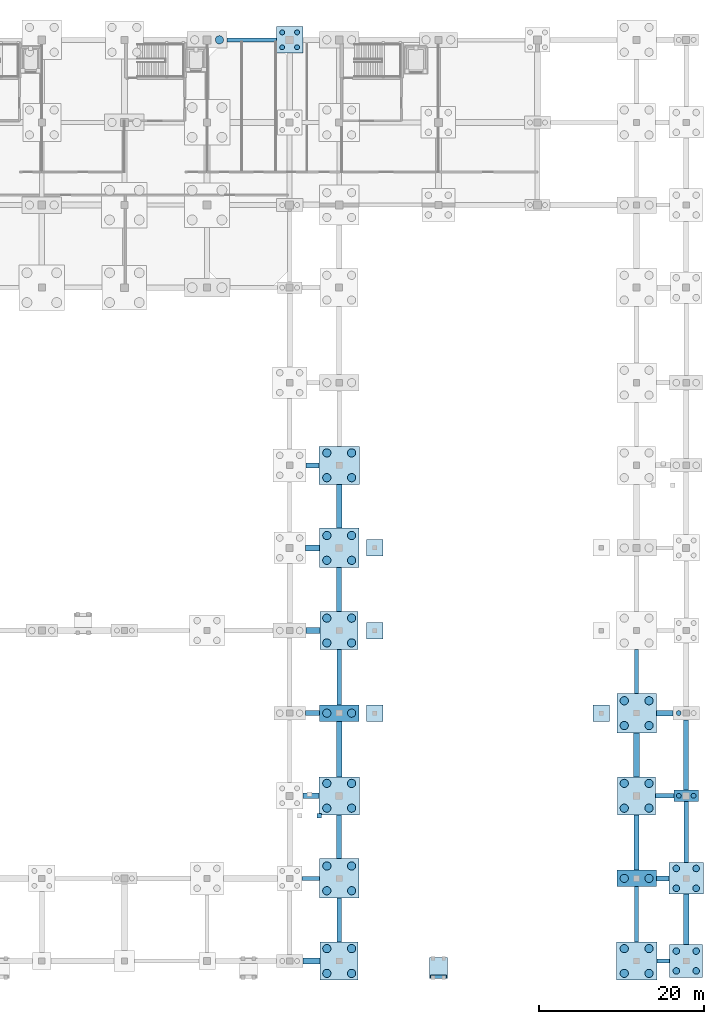
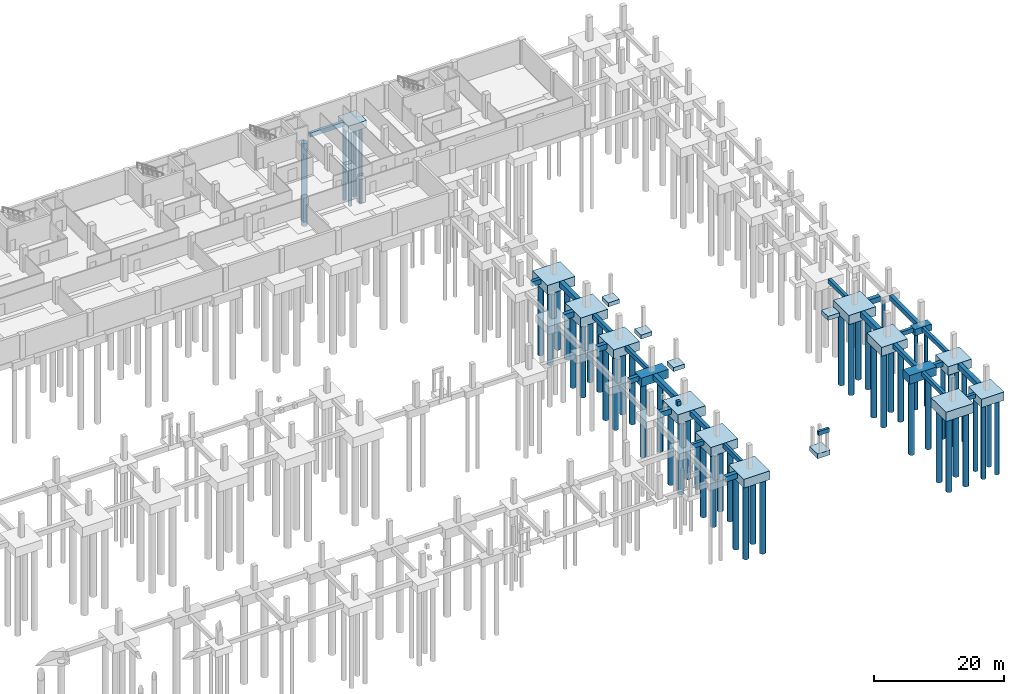
# One storey, part 6 of 19: 56 piles, 47 footings.
"""IFC4 building model written with IfcOpenShell, lengths in metres."""

from ifc_helpers import new_model, si_unit, direction, frame, origin, origin_2d, place, context, subcontext, project, spatial, polyline, rectangle, circle, outline, extrude, material, material_profile, profile_set, type_object, element, save


model = new_model("IFC4")

# Units and contexts
model_context = context("Model", 3, precision=1e-05, world=origin(), true_north=direction((0.0, 1.0)))
body_context = subcontext(model_context, "Body", "Model", "MODEL_VIEW")
ifc_project = project(units=[si_unit("LENGTHUNIT", "METRE"), si_unit("AREAUNIT", "SQUARE_METRE"), si_unit("VOLUMEUNIT", "CUBIC_METRE"), si_unit("PLANEANGLEUNIT", "RADIAN"), si_unit("MASSUNIT", "GRAM", prefix="KILO")], contexts=[model_context])

# Site, building, storey
site_placement = place(None, origin())
site = spatial("IfcSite", under=ifc_project, at=site_placement, CompositionType="ELEMENT")
building_placement = place(site_placement, origin())
building = spatial("IfcBuilding", under=site, at=building_placement, Name="Mersad Railyard Sports Hall", CompositionType="ELEMENT")
storey_placement = place(building_placement, frame((0.0, 0.0, -4.5)))
storey = spatial("IfcBuildingStorey", under=building, at=storey_placement, Name="B1", CompositionType="ELEMENT", Elevation=-4.5)

# Footings
ifc_material = material(Name="Concrete C40/50", Category="concrete")
footing_type_1 = type_object("IfcFootingType", Name="STR-FT-FB01", PredefinedType="FOOTING_BEAM", material=ifc_material)
footing_1_placement = place(storey_placement, frame((0.0, 0.0, -0.800048828125)))
element("IfcFooting", 1, at=footing_1_placement, inside=storey, type_object=footing_type_1, Name="Ground beam FB01-0013", PredefinedType="FOOTING_BEAM", context=body_context, shape_type="SweptSolid", body=[
    extrude(outline(polyline([(175.449951171875, 3.25), (177.0, 3.25), (177.0, 3.75), (175.449951171875, 3.75), (175.449951171875, 3.25)])), origin(), (0.0, 0.0, 1.0), 0.800048828125),
])
footing_2_placement = place(storey_placement, frame((0.0, 0.0, -0.800048828125)))
element("IfcFooting", 2, at=footing_2_placement, inside=storey, type_object=footing_type_1, Name="Ground beam FB01-0025", PredefinedType="FOOTING_BEAM", context=body_context, shape_type="SweptSolid", body=[
    extrude(outline(polyline([(132.5, 13.25), (134.60009765625, 13.25), (134.60009765625, 13.75), (132.5, 13.75), (132.5, 13.25)])), origin(), (0.0, 0.0, 1.0), 0.800048828125),
])
footing_3_placement = place(storey_placement, frame((0.0, 0.0, -0.800048828125)))
element("IfcFooting", 3, at=footing_3_placement, inside=storey, type_object=footing_type_1, Name="Ground beam FB01-0028", PredefinedType="FOOTING_BEAM", context=body_context, shape_type="SweptSolid", body=[
    extrude(outline(polyline([(175.300048828125, 23.25), (177.5, 23.25), (177.5, 23.75), (175.300048828125, 23.75), (175.300048828125, 23.25)])), origin(), (0.0, 0.0, 1.0), 0.800048828125),
])
footing_4_placement = place(storey_placement, frame((0.0, 0.0, -0.800048828125)))
element("IfcFooting", 4, at=footing_4_placement, inside=storey, type_object=footing_type_1, Name="Ground beam FB01-0100", PredefinedType="FOOTING_BEAM", context=body_context, shape_type="SweptSolid", body=[
    extrude(outline(polyline([(123.39990234375, 114.75), (129.39990234375, 114.75), (129.39990234375, 115.25), (123.39990234375, 115.25), (123.39990234375, 114.75)])), origin(), (0.0, 0.0, 1.0), 0.800048828125),
])
footing_5_placement = place(storey_placement, frame((0.0, 0.0, -0.800048828125)))
element("IfcFooting", 5, at=footing_5_placement, inside=storey, type_object=footing_type_1, Name="Ground beam FB01-0160", PredefinedType="FOOTING_BEAM", context=body_context, shape_type="SweptSolid", body=[
    extrude(outline(polyline([(136.75, 5.800048828125), (137.25, 5.800048828125), (137.25, 11.10009765625), (136.75, 11.10009765625), (136.75, 5.800048828125)])), origin(), (0.0, 0.0, 1.0), 0.800048828125),
])
footing_6_placement = place(storey_placement, frame((0.0, 0.0, -0.800048828125)))
element("IfcFooting", 6, at=footing_6_placement, inside=storey, type_object=footing_type_1, Name="Ground beam FB01-0163", PredefinedType="FOOTING_BEAM", context=body_context, shape_type="SweptSolid", body=[
    extrude(outline(polyline([(136.75, 34.5), (137.25, 34.5), (137.25, 41.199951171875), (136.75, 41.199951171875), (136.75, 34.5)])), origin(), (0.0, 0.0, 1.0), 0.800048828125),
])
footing_7_placement = place(storey_placement, frame((0.0, 0.0, -0.800048828125)))
element("IfcFooting", 7, at=footing_7_placement, inside=storey, type_object=footing_type_1, Name="Ground beam FB01-0175", PredefinedType="FOOTING_BEAM", context=body_context, shape_type="SweptSolid", body=[
    extrude(outline(polyline([(172.75, 5.800048828125), (173.25, 5.800048828125), (173.25, 12.5), (172.75, 12.5), (172.75, 5.800048828125)])), origin(), (0.0, 0.0, 1.0), 0.800048828125),
])
footing_8_placement = place(storey_placement, frame((0.0, 0.0, -0.800048828125)))
element("IfcFooting", 8, at=footing_8_placement, inside=storey, type_object=footing_type_1, Name="Ground beam FB01-0178", PredefinedType="FOOTING_BEAM", context=body_context, shape_type="SweptSolid", body=[
    extrude(outline(polyline([(172.75, 35.89990234375), (173.25, 35.89990234375), (173.25, 41.199951171875), (172.75, 41.199951171875), (172.75, 35.89990234375)])), origin(), (0.0, 0.0, 1.0), 0.800048828125),
])
footing_9_placement = place(storey_placement, frame((0.0, 0.0, -0.800048828125)))
element("IfcFooting", 9, at=footing_9_placement, inside=storey, type_object=footing_type_1, Name="Ground beam FB01-0187", PredefinedType="FOOTING_BEAM", context=body_context, shape_type="SweptSolid", body=[
    extrude(outline(polyline([(178.75, 15.39990234375), (179.25, 15.39990234375), (179.25, 22.800048828125), (178.75, 22.800048828125), (178.75, 15.39990234375)])), origin(), (0.0, 0.0, 1.0), 0.800048828125),
])
footing_type_2 = type_object("IfcFootingType", Name="STR-FT-FB02", PredefinedType="FOOTING_BEAM", material=ifc_material)
footing_10_placement = place(storey_placement, frame((0.0, 0.0, -0.89990234375)))
element("IfcFooting", 10, at=footing_10_placement, inside=storey, type_object=footing_type_2, Name="Ground beam FB02-0026", PredefinedType="FOOTING_BEAM", context=body_context, shape_type="SweptSolid", body=[
    extrude(outline(polyline([(175.39990234375, 13.199951171875), (176.89990234375, 13.199951171875), (176.89990234375, 13.800048828125), (175.39990234375, 13.800048828125), (175.39990234375, 13.199951171875)])), origin(), (0.0, 0.0, 1.0), 0.89990234375),
])
footing_11_placement = place(storey_placement, frame((0.0, 0.0, -0.89990234375)))
element("IfcFooting", 11, at=footing_11_placement, inside=storey, type_object=footing_type_2, Name="Ground beam FB02-0029", PredefinedType="FOOTING_BEAM", context=body_context, shape_type="SweptSolid", body=[
    extrude(outline(polyline([(132.89990234375, 33.199951171875), (134.60009765625, 33.199951171875), (134.60009765625, 33.800048828125), (132.89990234375, 33.800048828125), (132.89990234375, 33.199951171875)])), origin(), (0.0, 0.0, 1.0), 0.89990234375),
])
footing_12_placement = place(storey_placement, frame((0.0, 0.0, -0.89990234375)))
element("IfcFooting", 12, at=footing_12_placement, inside=storey, type_object=footing_type_2, Name="Ground beam FB02-0053", PredefinedType="FOOTING_BEAM", context=body_context, shape_type="SweptSolid", body=[
    extrude(outline(polyline([(133.0, 63.199951171875), (134.550048828125, 63.199951171875), (134.550048828125, 63.800048828125), (133.0, 63.800048828125), (133.0, 63.199951171875)])), origin(), (0.0, 0.0, 1.0), 0.89990234375),
])
footing_13_placement = place(storey_placement, frame((0.0, 0.0, -0.89990234375)))
element("IfcFooting", 13, at=footing_13_placement, inside=storey, type_object=footing_type_2, Name="Ground beam FB02-0161", PredefinedType="FOOTING_BEAM", context=body_context, shape_type="SweptSolid", body=[
    extrude(outline(polyline([(136.699951171875, 15.89990234375), (137.300048828125, 15.89990234375), (137.300048828125, 21.199951171875), (136.699951171875, 21.199951171875), (136.699951171875, 15.89990234375)])), origin(), (0.0, 0.0, 1.0), 0.89990234375),
])
footing_14_placement = place(storey_placement, frame((0.0, 0.0, -0.89990234375)))
element("IfcFooting", 14, at=footing_14_placement, inside=storey, type_object=footing_type_2, Name="Ground beam FB02-0164", PredefinedType="FOOTING_BEAM", context=body_context, shape_type="SweptSolid", body=[
    extrude(outline(polyline([(136.699951171875, 45.800048828125), (137.300048828125, 45.800048828125), (137.300048828125, 51.10009765625), (136.699951171875, 51.10009765625), (136.699951171875, 45.800048828125)])), origin(), (0.0, 0.0, 1.0), 0.89990234375),
])
footing_15_placement = place(storey_placement, frame((0.0, 0.0, -0.89990234375)))
element("IfcFooting", 15, at=footing_15_placement, inside=storey, type_object=footing_type_2, Name="Ground beam FB02-0176", PredefinedType="FOOTING_BEAM", context=body_context, shape_type="SweptSolid", body=[
    extrude(outline(polyline([(172.699951171875, 14.5), (173.300048828125, 14.5), (173.300048828125, 21.199951171875), (172.699951171875, 21.199951171875), (172.699951171875, 14.5)])), origin(), (0.0, 0.0, 1.0), 0.89990234375),
])
footing_16_placement = place(storey_placement, frame((0.0, 0.0, -0.89990234375)))
element("IfcFooting", 16, at=footing_16_placement, inside=storey, type_object=footing_type_2, Name="Ground beam FB02-0188", PredefinedType="FOOTING_BEAM", context=body_context, shape_type="SweptSolid", body=[
    extrude(outline(polyline([(178.699951171875, 24.199951171875), (179.300048828125, 24.199951171875), (179.300048828125, 32.699951171875), (178.699951171875, 32.699951171875), (178.699951171875, 24.199951171875)])), origin(), (0.0, 0.0, 1.0), 0.89990234375),
])
footing_type_3 = type_object("IfcFootingType", Name="STR-FT-FB03", PredefinedType="FOOTING_BEAM", material=ifc_material)
footing_17_placement = place(storey_placement, frame((0.0, 0.0, -1.0)))
element("IfcFooting", 17, at=footing_17_placement, inside=storey, type_object=footing_type_3, Name="Ground beam FB03-0012", PredefinedType="FOOTING_BEAM", context=body_context, shape_type="SweptSolid", body=[
    extrude(outline(polyline([(132.60009765625, 3.14990234375), (134.699951171875, 3.14990234375), (134.699951171875, 3.85009765625), (132.60009765625, 3.85009765625), (132.60009765625, 3.14990234375)])), origin(), (0.0, 0.0, 1.0), 1.0),
])
footing_18_placement = place(storey_placement, frame((0.0, 0.0, -1.0)))
element("IfcFooting", 18, at=footing_18_placement, inside=storey, type_object=footing_type_3, Name="Ground beam FB03-0027", PredefinedType="FOOTING_BEAM", context=body_context, shape_type="SweptSolid", body=[
    extrude(outline(polyline([(132.60009765625, 23.14990234375), (134.550048828125, 23.14990234375), (134.550048828125, 23.85009765625), (132.60009765625, 23.85009765625), (132.60009765625, 23.14990234375)])), origin(), (0.0, 0.0, 1.0), 1.0),
])
footing_19_placement = place(storey_placement, frame((0.0, 0.0, -1.0)))
element("IfcFooting", 19, at=footing_19_placement, inside=storey, type_object=footing_type_3, Name="Ground beam FB03-0030", PredefinedType="FOOTING_BEAM", context=body_context, shape_type="SweptSolid", body=[
    extrude(outline(polyline([(175.39990234375, 33.14990234375), (177.39990234375, 33.14990234375), (177.39990234375, 33.85009765625), (175.39990234375, 33.85009765625), (175.39990234375, 33.14990234375)])), origin(), (0.0, 0.0, 1.0), 1.0),
])
footing_20_placement = place(storey_placement, frame((0.0, 0.0, -1.0)))
element("IfcFooting", 20, at=footing_20_placement, inside=storey, type_object=footing_type_3, Name="Ground beam FB03-0042", PredefinedType="FOOTING_BEAM", context=body_context, shape_type="SweptSolid", body=[
    extrude(outline(polyline([(133.0, 43.14990234375), (134.699951171875, 43.14990234375), (134.699951171875, 43.85009765625), (133.0, 43.85009765625), (133.0, 43.14990234375)])), origin(), (0.0, 0.0, 1.0), 1.0),
])
footing_21_placement = place(storey_placement, frame((0.0, 0.0, -1.0)))
element("IfcFooting", 21, at=footing_21_placement, inside=storey, type_object=footing_type_3, Name="Ground beam FB03-0051", PredefinedType="FOOTING_BEAM", context=body_context, shape_type="SweptSolid", body=[
    extrude(outline(polyline([(132.89990234375, 53.14990234375), (134.60009765625, 53.14990234375), (134.60009765625, 53.85009765625), (132.89990234375, 53.85009765625), (132.89990234375, 53.14990234375)])), origin(), (0.0, 0.0, 1.0), 1.0),
])
footing_22_placement = place(storey_placement, frame((0.0, 0.0, -1.0)))
element("IfcFooting", 22, at=footing_22_placement, inside=storey, type_object=footing_type_3, Name="Ground beam FB03-0162", PredefinedType="FOOTING_BEAM", context=body_context, shape_type="SweptSolid", body=[
    extrude(outline(polyline([(136.64990234375, 25.800048828125), (137.35009765625, 25.800048828125), (137.35009765625, 32.5), (136.64990234375, 32.5), (136.64990234375, 25.800048828125)])), origin(), (0.0, 0.0, 1.0), 1.0),
])
footing_23_placement = place(storey_placement, frame((0.0, 0.0, -1.0)))
element("IfcFooting", 23, at=footing_23_placement, inside=storey, type_object=footing_type_3, Name="Ground beam FB03-0165", PredefinedType="FOOTING_BEAM", context=body_context, shape_type="SweptSolid", body=[
    extrude(outline(polyline([(136.64990234375, 55.89990234375), (137.35009765625, 55.89990234375), (137.35009765625, 61.199951171875), (136.64990234375, 61.199951171875), (136.64990234375, 55.89990234375)])), origin(), (0.0, 0.0, 1.0), 1.0),
])
footing_24_placement = place(storey_placement, frame((0.0, 0.0, -1.0)))
element("IfcFooting", 24, at=footing_24_placement, inside=storey, type_object=footing_type_3, Name="Ground beam FB03-0177", PredefinedType="FOOTING_BEAM", context=body_context, shape_type="SweptSolid", body=[
    extrude(outline(polyline([(172.64990234375, 25.800048828125), (173.35009765625, 25.800048828125), (173.35009765625, 31.10009765625), (172.64990234375, 31.10009765625), (172.64990234375, 25.800048828125)])), origin(), (0.0, 0.0, 1.0), 1.0),
])
footing_25_placement = place(storey_placement, frame((0.0, 0.0, -1.0)))
element("IfcFooting", 25, at=footing_25_placement, inside=storey, type_object=footing_type_3, Name="Ground beam FB03-0186", PredefinedType="FOOTING_BEAM", context=body_context, shape_type="SweptSolid", body=[
    extrude(outline(polyline([(178.64990234375, 5.5), (179.35009765625, 5.5), (179.35009765625, 11.60009765625), (178.64990234375, 11.60009765625), (178.64990234375, 5.5)])), origin(), (0.0, 0.0, 1.0), 1.0),
])
footing_type_4 = type_object("IfcFootingType", Name="STR-FT-PC01", PredefinedType="PILE_CAP", material=ifc_material)
footing_26_placement = place(storey_placement, frame((179.0, 23.5, -1.2001953125), z_axis=(0.0, 0.0, 1.0), x_axis=(1.0, 0.0, 0.0)))
element("IfcFooting", 26, at=footing_26_placement, inside=storey, type_object=footing_type_4, Name="Pile cap PC01 at (179.0,23.5)", PredefinedType="PILE_CAP", context=body_context, shape_type="SweptSolid", body=[
    extrude(rectangle(XDim=3.0, YDim=1.39990234375, at=origin_2d()), origin(), (0.0, 0.0, 1.0), 1.199951171875),
])
footing_type_5 = type_object("IfcFootingType", Name="STR-FT-PC04", PredefinedType="PILE_CAP", material=ifc_material)
footing_27_placement = place(storey_placement, frame((131.0, 115.0, -1.35009765625), z_axis=(0.0, 0.0, 1.0), x_axis=(1.0, 0.0, 0.0)))
element("IfcFooting", 27, at=footing_27_placement, inside=storey, type_object=footing_type_5, Name="Pile cap PC04 at (131.0,115.0)", PredefinedType="PILE_CAP", context=body_context, shape_type="SweptSolid", body=[
    extrude(rectangle(XDim=3.199951171875, YDim=3.199951171875, at=origin_2d()), origin(), (0.0, 0.0, 1.0), 1.35009765625),
])
footing_type_6 = type_object("IfcFootingType", Name="STR-FT-PC08", PredefinedType="PILE_CAP", material=ifc_material)
footing_28_placement = place(storey_placement, frame((179.0, 3.5, -1.5498046875), z_axis=(0.0, 0.0, 1.0), x_axis=(1.0, 0.0, 0.0)))
element("IfcFooting", 28, at=footing_28_placement, inside=storey, type_object=footing_type_6, Name="Pile cap PC08 at (179.0,3.5)", PredefinedType="PILE_CAP", context=body_context, shape_type="SweptSolid", body=[
    extrude(rectangle(XDim=4.0, YDim=4.0, at=origin_2d()), origin(), (0.0, 0.0, 1.0), 1.550048828125),
])
footing_type_7 = type_object("IfcFootingType", Name="STR-FT-PC09", PredefinedType="PILE_CAP", material=ifc_material)
footing_29_placement = place(storey_placement, frame((179.0, 13.5, -1.60009765625), z_axis=(0.0, 0.0, 1.0), x_axis=(1.0, 0.0, 0.0)))
element("IfcFooting", 29, at=footing_29_placement, inside=storey, type_object=footing_type_7, Name="Pile cap PC09 at (179.0,13.5)", PredefinedType="PILE_CAP", context=body_context, shape_type="SweptSolid", body=[
    extrude(rectangle(XDim=4.199951171875, YDim=3.800048828125, at=origin_2d()), origin(), (0.0, 0.0, 1.0), 1.60009765625),
])
footing_type_8 = type_object("IfcFootingType", Name="STR-FT-PC11", PredefinedType="PILE_CAP", material=ifc_material)
for number, where, z_axis, x_axis, name in (
    (30, (137.0, 33.5, -1.60009765625), (0.0, 0.0, 1.0), (1.0, 0.0, 0.0), "Pile cap PC11 at (137.0,33.5)"),
    (31, (173.0, 13.5, -1.60009765625), (0.0, 0.0, 1.0), (1.0, 0.0, 0.0), "Pile cap PC11 at (173.0,13.5)"),
):
    element("IfcFooting", number, at=place(storey_placement, frame(where, z_axis=z_axis, x_axis=x_axis)), inside=storey, type_object=footing_type_8, Name=name, PredefinedType="PILE_CAP", context=body_context, shape_type="SweptSolid", body=[
        extrude(rectangle(XDim=4.800048828125, YDim=2.0, at=origin_2d()), origin(), (0.0, 0.0, 1.0), 1.60009765625),
    ])
footing_type_9 = type_object("IfcFootingType", Name="STR-FT-PC12", PredefinedType="PILE_CAP", material=ifc_material)
for number, where, z_axis, x_axis, name in (
    (32, (137.0, 3.5, -1.64990234375), (0.0, 0.0, 1.0), (1.0, 0.0, 0.0), "Pile cap PC12 at (137.0,3.5)"),
    (33, (137.0, 43.5, -1.64990234375), (0.0, 0.0, 1.0), (1.0, 0.0, 0.0), "Pile cap PC12 at (137.0,43.5)"),
    (34, (173.0, 23.5, -1.64990234375), (0.0, 0.0, 1.0), (1.0, 0.0, 0.0), "Pile cap PC12 at (173.0,23.5)"),
):
    element("IfcFooting", number, at=place(storey_placement, frame(where, z_axis=z_axis, x_axis=x_axis)), inside=storey, type_object=footing_type_9, Name=name, PredefinedType="PILE_CAP", context=body_context, shape_type="SweptSolid", body=[
        extrude(rectangle(XDim=4.60009765625, YDim=4.60009765625, at=origin_2d()), origin(), (0.0, 0.0, 1.0), 1.64990234375),
    ])
footing_type_10 = type_object("IfcFootingType", Name="STR-FT-PC13", PredefinedType="PILE_CAP", material=ifc_material)
for number, where, z_axis, x_axis, name in (
    (35, (137.0, 13.5, -1.7001953125), (0.0, 0.0, 1.0), (1.0, 0.0, 0.0), "Pile cap PC13 at (137.0,13.5)"),
    (36, (137.0, 53.5, -1.7001953125), (0.0, 0.0, 1.0), (1.0, 0.0, 0.0), "Pile cap PC13 at (137.0,53.5)"),
    (37, (173.0, 33.5, -1.7001953125), (0.0, 0.0, 1.0), (1.0, 0.0, 0.0), "Pile cap PC13 at (173.0,33.5)"),
):
    element("IfcFooting", number, at=place(storey_placement, frame(where, z_axis=z_axis, x_axis=x_axis)), inside=storey, type_object=footing_type_10, Name=name, PredefinedType="PILE_CAP", context=body_context, shape_type="SweptSolid", body=[
        extrude(rectangle(XDim=4.800048828125, YDim=4.800048828125, at=origin_2d()), origin(), (0.0, 0.0, 1.0), 1.699951171875),
    ])
footing_type_11 = type_object("IfcFootingType", Name="STR-FT-PC14", PredefinedType="PILE_CAP", material=ifc_material)
for number, where, z_axis, x_axis, name in (
    (38, (137.0, 23.5, -1.75), (0.0, 0.0, 1.0), (1.0, 0.0, 0.0), "Pile cap PC14 at (137.0,23.5)"),
    (39, (137.0, 63.5, -1.75), (0.0, 0.0, 1.0), (1.0, 0.0, 0.0), "Pile cap PC14 at (137.0,63.5)"),
    (40, (173.0, 3.5, -1.75), (0.0, 0.0, 1.0), (1.0, 0.0, 0.0), "Pile cap PC14 at (173.0,3.5)"),
):
    element("IfcFooting", number, at=place(storey_placement, frame(where, z_axis=z_axis, x_axis=x_axis)), inside=storey, type_object=footing_type_11, Name=name, PredefinedType="PILE_CAP", context=body_context, shape_type="SweptSolid", body=[
        extrude(rectangle(XDim=4.89990234375, YDim=4.60009765625, at=origin_2d()), origin(), (0.0, 0.0, 1.0), 1.75),
    ])
footing_type_12 = type_object("IfcFootingType", Name="STR-FT-PF01", PredefinedType="PAD_FOOTING", material=ifc_material)
footing_30_placement = place(storey_placement, frame((149.0, 1.60009765625, 3.39990234375), z_axis=(0.0, 0.0, 1.0), x_axis=(1.0, 0.0, 0.0)))
element("IfcFooting", 41, at=footing_30_placement, inside=storey, type_object=footing_type_12, Name="Show court south accessible ramp grade bed footing", PredefinedType="PAD_FOOTING", context=body_context, shape_type="SweptSolid", body=[
    extrude(rectangle(XDim=1.949951171875, YDim=0.449951171875, at=origin_2d()), origin(), (0.0, 0.0, 1.0), 0.75),
])
footing_31_placement = place(storey_placement, frame((134.574951171875, 21.10009765625, 1.9501953125), z_axis=(0.0, 0.0, 1.0), x_axis=(1.0, 0.0, 0.0)))
element("IfcFooting", 42, at=footing_31_placement, inside=storey, type_object=footing_type_12, Name="Lift PL-05 pit corner pad 2", PredefinedType="PAD_FOOTING", context=body_context, shape_type="SweptSolid", body=[
    extrude(rectangle(XDim=0.550048828125, YDim=0.550048828125, at=origin_2d()), origin(), (0.0, 0.0, 1.0), 0.800048828125),
])
footing_type_13 = type_object("IfcFootingType", Name="STR-FT-PF02", PredefinedType="PAD_FOOTING", material=ifc_material)
for number, where, z_axis, x_axis, name in (
    (43, (141.300048828125, 33.5, -0.75), (0.0, 0.0, 1.0), (1.0, 0.0, 0.0), "Stand raker pad footing PF02 (141.3,33.5)"),
    (44, (168.699951171875, 33.5, -0.75), (0.0, 0.0, 1.0), (1.0, 0.0, 0.0), "Stand raker pad footing PF02 (168.7,33.5)"),
    (45, (141.300048828125, 43.5, -0.75), (0.0, 0.0, 1.0), (1.0, 0.0, 0.0), "Stand raker pad footing PF02 (141.3,43.5)"),
    (46, (141.300048828125, 53.5, -0.75), (0.0, 0.0, 1.0), (1.0, 0.0, 0.0), "Stand raker pad footing PF02 (141.3,53.5)"),
):
    element("IfcFooting", number, at=place(storey_placement, frame(where, z_axis=z_axis, x_axis=x_axis)), inside=storey, type_object=footing_type_13, Name=name, PredefinedType="PAD_FOOTING", context=body_context, shape_type="SweptSolid", body=[
        extrude(rectangle(XDim=2.0, YDim=2.0, at=origin_2d()), origin(), (0.0, 0.0, 1.0), 0.75),
    ])
footing_type_14 = type_object("IfcFootingType", Name="STR-FT-PF05", PredefinedType="PAD_FOOTING", material=ifc_material)
footing_32_placement = place(storey_placement, frame((149.0, 2.64990234375, -0.89990234375), z_axis=(0.0, 0.0, 1.0), x_axis=(1.0, 0.0, 0.0)))
element("IfcFooting", 47, at=footing_32_placement, inside=storey, type_object=footing_type_14, Name="Show court south accessible ramp foundation pad", PredefinedType="PAD_FOOTING", context=body_context, shape_type="SweptSolid", body=[
    extrude(rectangle(XDim=2.199951171875, YDim=2.5, at=origin_2d()), origin(), (0.0, 0.0, 1.0), 0.89990234375),
])

# Piles
ifc_material_profile_1 = material_profile(ifc_material, circle(Radius=0.5, at=origin_2d()), Name="BORED PILE D1000")
ifc_profile_set_1 = profile_set([ifc_material_profile_1], Name="Concrete C40/50")
pile_type_1 = type_object("IfcPileType", Name="STR-PL-P1000", PredefinedType="BORED", material=ifc_profile_set_1)
pile_1_placement = place(storey_placement, frame((122.5, 115.0, -1.449951171875), z_axis=(0.0, 0.0, -1.0), x_axis=(1.0, 0.0, 0.0)))
element("IfcPile", 48, at=pile_1_placement, inside=storey, type_object=pile_type_1, Name="Bored pile PL03-0226", PredefinedType="BORED", context=body_context, shape_type="SweptSolid", body=[
    extrude(circle(Radius=0.5, at=origin_2d()), origin(), (0.0, 0.0, 1.0), 15.550048828125),
])
for number, where, z_axis, x_axis, name in (
    (49, (135.5, 2.0, -1.5), (0.0, 0.0, -1.0), (1.0, 0.0, 0.0), "Bored pile PL03-0265"),
    (50, (138.5, 2.0, -1.5), (0.0, 0.0, -1.0), (1.0, 0.0, 0.0), "Bored pile PL03-0266"),
    (51, (135.5, 5.0, -1.5), (0.0, 0.0, -1.0), (1.0, 0.0, 0.0), "Bored pile PL03-0267"),
    (52, (138.5, 5.0, -1.5), (0.0, 0.0, -1.0), (1.0, 0.0, 0.0), "Bored pile PL03-0268"),
):
    element("IfcPile", number, at=place(storey_placement, frame(where, z_axis=z_axis, x_axis=x_axis)), inside=storey, type_object=pile_type_1, Name=name, PredefinedType="BORED", context=body_context, shape_type="SweptSolid", body=[
        extrude(circle(Radius=0.5, at=origin_2d()), origin(), (0.0, 0.0, 1.0), 14.0),
    ])
for number, where, z_axis, x_axis, name in (
    (53, (135.5, 12.0, -1.550048828125), (0.0, 0.0, -1.0), (1.0, 0.0, 0.0), "Bored pile PL03-0269"),
    (54, (138.5, 12.0, -1.550048828125), (0.0, 0.0, -1.0), (1.0, 0.0, 0.0), "Bored pile PL03-0270"),
    (55, (135.5, 15.0, -1.550048828125), (0.0, 0.0, -1.0), (1.0, 0.0, 0.0), "Bored pile PL03-0271"),
    (56, (138.5, 15.0, -1.550048828125), (0.0, 0.0, -1.0), (1.0, 0.0, 0.0), "Bored pile PL03-0272"),
):
    element("IfcPile", number, at=place(storey_placement, frame(where, z_axis=z_axis, x_axis=x_axis)), inside=storey, type_object=pile_type_1, Name=name, PredefinedType="BORED", context=body_context, shape_type="SweptSolid", body=[
        extrude(circle(Radius=0.5, at=origin_2d()), origin(), (0.0, 0.0, 1.0), 13.949951171875),
    ])
for number, where, z_axis, x_axis, name in (
    (57, (135.5, 22.0, -1.60009765625), (0.0, 0.0, -1.0), (1.0, 0.0, 0.0), "Bored pile PL03-0273"),
    (58, (138.5, 22.0, -1.60009765625), (0.0, 0.0, -1.0), (1.0, 0.0, 0.0), "Bored pile PL03-0274"),
    (59, (135.5, 25.0, -1.60009765625), (0.0, 0.0, -1.0), (1.0, 0.0, 0.0), "Bored pile PL03-0275"),
    (60, (138.5, 25.0, -1.60009765625), (0.0, 0.0, -1.0), (1.0, 0.0, 0.0), "Bored pile PL03-0276"),
):
    element("IfcPile", number, at=place(storey_placement, frame(where, z_axis=z_axis, x_axis=x_axis)), inside=storey, type_object=pile_type_1, Name=name, PredefinedType="BORED", context=body_context, shape_type="SweptSolid", body=[
        extrude(circle(Radius=0.5, at=origin_2d()), origin(), (0.0, 0.0, 1.0), 13.89990234375),
    ])
for number, where, z_axis, x_axis, name in (
    (61, (135.5, 33.5, -1.449951171875), (0.0, 0.0, -1.0), (1.0, 0.0, 0.0), "Bored pile PL03-0277"),
    (62, (138.5, 33.5, -1.449951171875), (0.0, 0.0, -1.0), (1.0, 0.0, 0.0), "Bored pile PL03-0278"),
):
    element("IfcPile", number, at=place(storey_placement, frame(where, z_axis=z_axis, x_axis=x_axis)), inside=storey, type_object=pile_type_1, Name=name, PredefinedType="BORED", context=body_context, shape_type="SweptSolid", body=[
        extrude(circle(Radius=0.5, at=origin_2d()), origin(), (0.0, 0.0, 1.0), 14.050048828125),
    ])
for number, where, z_axis, x_axis, name in (
    (63, (135.5, 42.0, -1.5), (0.0, 0.0, -1.0), (1.0, 0.0, 0.0), "Bored pile PL03-0279"),
    (64, (138.5, 42.0, -1.5), (0.0, 0.0, -1.0), (1.0, 0.0, 0.0), "Bored pile PL03-0280"),
    (65, (135.5, 45.0, -1.5), (0.0, 0.0, -1.0), (1.0, 0.0, 0.0), "Bored pile PL03-0281"),
    (66, (138.5, 45.0, -1.5), (0.0, 0.0, -1.0), (1.0, 0.0, 0.0), "Bored pile PL03-0282"),
):
    element("IfcPile", number, at=place(storey_placement, frame(where, z_axis=z_axis, x_axis=x_axis)), inside=storey, type_object=pile_type_1, Name=name, PredefinedType="BORED", context=body_context, shape_type="SweptSolid", body=[
        extrude(circle(Radius=0.5, at=origin_2d()), origin(), (0.0, 0.0, 1.0), 14.0),
    ])
for number, where, z_axis, x_axis, name in (
    (67, (135.5, 52.0, -1.550048828125), (0.0, 0.0, -1.0), (1.0, 0.0, 0.0), "Bored pile PL03-0283"),
    (68, (138.5, 52.0, -1.550048828125), (0.0, 0.0, -1.0), (1.0, 0.0, 0.0), "Bored pile PL03-0284"),
    (69, (135.5, 55.0, -1.550048828125), (0.0, 0.0, -1.0), (1.0, 0.0, 0.0), "Bored pile PL03-0285"),
    (70, (138.5, 55.0, -1.550048828125), (0.0, 0.0, -1.0), (1.0, 0.0, 0.0), "Bored pile PL03-0286"),
):
    element("IfcPile", number, at=place(storey_placement, frame(where, z_axis=z_axis, x_axis=x_axis)), inside=storey, type_object=pile_type_1, Name=name, PredefinedType="BORED", context=body_context, shape_type="SweptSolid", body=[
        extrude(circle(Radius=0.5, at=origin_2d()), origin(), (0.0, 0.0, 1.0), 13.949951171875),
    ])
for number, where, z_axis, x_axis, name in (
    (71, (135.5, 62.0, -1.60009765625), (0.0, 0.0, -1.0), (1.0, 0.0, 0.0), "Bored pile PL03-0287"),
    (72, (138.5, 62.0, -1.60009765625), (0.0, 0.0, -1.0), (1.0, 0.0, 0.0), "Bored pile PL03-0288"),
    (73, (135.5, 65.0, -1.60009765625), (0.0, 0.0, -1.0), (1.0, 0.0, 0.0), "Bored pile PL03-0289"),
    (74, (138.5, 65.0, -1.60009765625), (0.0, 0.0, -1.0), (1.0, 0.0, 0.0), "Bored pile PL03-0290"),
    (75, (171.5, 2.0, -1.60009765625), (0.0, 0.0, -1.0), (1.0, 0.0, 0.0), "Bored pile PL03-0325"),
    (76, (174.5, 2.0, -1.60009765625), (0.0, 0.0, -1.0), (1.0, 0.0, 0.0), "Bored pile PL03-0326"),
    (77, (171.5, 5.0, -1.60009765625), (0.0, 0.0, -1.0), (1.0, 0.0, 0.0), "Bored pile PL03-0327"),
    (78, (174.5, 5.0, -1.60009765625), (0.0, 0.0, -1.0), (1.0, 0.0, 0.0), "Bored pile PL03-0328"),
):
    element("IfcPile", number, at=place(storey_placement, frame(where, z_axis=z_axis, x_axis=x_axis)), inside=storey, type_object=pile_type_1, Name=name, PredefinedType="BORED", context=body_context, shape_type="SweptSolid", body=[
        extrude(circle(Radius=0.5, at=origin_2d()), origin(), (0.0, 0.0, 1.0), 13.89990234375),
    ])
for number, where, z_axis, x_axis, name in (
    (79, (171.5, 13.5, -1.449951171875), (0.0, 0.0, -1.0), (1.0, 0.0, 0.0), "Bored pile PL03-0329"),
    (80, (174.5, 13.5, -1.449951171875), (0.0, 0.0, -1.0), (1.0, 0.0, 0.0), "Bored pile PL03-0330"),
):
    element("IfcPile", number, at=place(storey_placement, frame(where, z_axis=z_axis, x_axis=x_axis)), inside=storey, type_object=pile_type_1, Name=name, PredefinedType="BORED", context=body_context, shape_type="SweptSolid", body=[
        extrude(circle(Radius=0.5, at=origin_2d()), origin(), (0.0, 0.0, 1.0), 14.050048828125),
    ])
for number, where, z_axis, x_axis, name in (
    (81, (171.5, 22.0, -1.5), (0.0, 0.0, -1.0), (1.0, 0.0, 0.0), "Bored pile PL03-0331"),
    (82, (174.5, 22.0, -1.5), (0.0, 0.0, -1.0), (1.0, 0.0, 0.0), "Bored pile PL03-0332"),
    (83, (171.5, 25.0, -1.5), (0.0, 0.0, -1.0), (1.0, 0.0, 0.0), "Bored pile PL03-0333"),
    (84, (174.5, 25.0, -1.5), (0.0, 0.0, -1.0), (1.0, 0.0, 0.0), "Bored pile PL03-0334"),
):
    element("IfcPile", number, at=place(storey_placement, frame(where, z_axis=z_axis, x_axis=x_axis)), inside=storey, type_object=pile_type_1, Name=name, PredefinedType="BORED", context=body_context, shape_type="SweptSolid", body=[
        extrude(circle(Radius=0.5, at=origin_2d()), origin(), (0.0, 0.0, 1.0), 14.0),
    ])
for number, where, z_axis, x_axis, name in (
    (85, (171.5, 32.0, -1.550048828125), (0.0, 0.0, -1.0), (1.0, 0.0, 0.0), "Bored pile PL03-0335"),
    (86, (174.5, 32.0, -1.550048828125), (0.0, 0.0, -1.0), (1.0, 0.0, 0.0), "Bored pile PL03-0336"),
    (87, (171.5, 35.0, -1.550048828125), (0.0, 0.0, -1.0), (1.0, 0.0, 0.0), "Bored pile PL03-0337"),
    (88, (174.5, 35.0, -1.550048828125), (0.0, 0.0, -1.0), (1.0, 0.0, 0.0), "Bored pile PL03-0338"),
):
    element("IfcPile", number, at=place(storey_placement, frame(where, z_axis=z_axis, x_axis=x_axis)), inside=storey, type_object=pile_type_1, Name=name, PredefinedType="BORED", context=body_context, shape_type="SweptSolid", body=[
        extrude(circle(Radius=0.5, at=origin_2d()), origin(), (0.0, 0.0, 1.0), 13.949951171875),
    ])
ifc_material_profile_2 = material_profile(ifc_material, circle(Radius=0.300048828125, at=origin_2d()), Name="BORED PILE D600")
ifc_profile_set_2 = profile_set([ifc_material_profile_2], Name="Concrete C40/50")
pile_type_2 = type_object("IfcPileType", Name="STR-PL-P600", PredefinedType="BORED", material=ifc_profile_set_2)
for number, where, z_axis, x_axis, name in (
    (89, (130.10009765625, 114.10009765625, -1.199951171875), (0.0, 0.0, -1.0), (1.0, 0.0, 0.0), "Bored pile PL01-0261"),
    (90, (131.89990234375, 114.10009765625, -1.199951171875), (0.0, 0.0, -1.0), (1.0, 0.0, 0.0), "Bored pile PL01-0262"),
    (91, (130.10009765625, 115.89990234375, -1.199951171875), (0.0, 0.0, -1.0), (1.0, 0.0, 0.0), "Bored pile PL01-0263"),
    (92, (131.89990234375, 115.89990234375, -1.199951171875), (0.0, 0.0, -1.0), (1.0, 0.0, 0.0), "Bored pile PL01-0264"),
):
    element("IfcPile", number, at=place(storey_placement, frame(where, z_axis=z_axis, x_axis=x_axis)), inside=storey, type_object=pile_type_2, Name=name, PredefinedType="BORED", context=body_context, shape_type="SweptSolid", body=[
        extrude(circle(Radius=0.300048828125, at=origin_2d()), origin(), (0.0, 0.0, 1.0), 14.300048828125),
    ])
for number, where, z_axis, x_axis, name in (
    (93, (178.10009765625, 23.5, -1.050048828125), (0.0, 0.0, -1.0), (1.0, 0.0, 0.0), "Bored pile PL01-0375"),
    (94, (179.89990234375, 23.5, -1.050048828125), (0.0, 0.0, -1.0), (1.0, 0.0, 0.0), "Bored pile PL01-0376"),
):
    element("IfcPile", number, at=place(storey_placement, frame(where, z_axis=z_axis, x_axis=x_axis)), inside=storey, type_object=pile_type_2, Name=name, PredefinedType="BORED", context=body_context, shape_type="SweptSolid", body=[
        extrude(circle(Radius=0.300048828125, at=origin_2d()), origin(), (0.0, 0.0, 1.0), 14.449951171875),
    ])
pile_2_placement = place(storey_placement, frame((178.10009765625, 33.5, -1.10009765625), z_axis=(0.0, 0.0, -1.0), x_axis=(1.0, 0.0, 0.0)))
element("IfcPile", 95, at=pile_2_placement, inside=storey, type_object=pile_type_2, Name="Bored pile PL01-0377", PredefinedType="BORED", context=body_context, shape_type="SweptSolid", body=[
    extrude(circle(Radius=0.300048828125, at=origin_2d()), origin(), (0.0, 0.0, 1.0), 14.39990234375),
])
ifc_material_profile_3 = material_profile(ifc_material, circle(Radius=0.39990234375, at=origin_2d()), Name="BORED PILE D800")
ifc_profile_set_3 = profile_set([ifc_material_profile_3], Name="Concrete C40/50")
pile_type_3 = type_object("IfcPileType", Name="STR-PL-P800", PredefinedType="BORED", material=ifc_profile_set_3)
for number, where, z_axis, x_axis, name in (
    (96, (177.800048828125, 2.300048828125, -1.39990234375), (0.0, 0.0, -1.0), (1.0, 0.0, 0.0), "Bored pile PL02-0367"),
    (97, (180.199951171875, 2.300048828125, -1.39990234375), (0.0, 0.0, -1.0), (1.0, 0.0, 0.0), "Bored pile PL02-0368"),
    (98, (177.800048828125, 4.699951171875, -1.39990234375), (0.0, 0.0, -1.0), (1.0, 0.0, 0.0), "Bored pile PL02-0369"),
    (99, (180.199951171875, 4.699951171875, -1.39990234375), (0.0, 0.0, -1.0), (1.0, 0.0, 0.0), "Bored pile PL02-0370"),
):
    element("IfcPile", number, at=place(storey_placement, frame(where, z_axis=z_axis, x_axis=x_axis)), inside=storey, type_object=pile_type_3, Name=name, PredefinedType="BORED", context=body_context, shape_type="SweptSolid", body=[
        extrude(circle(Radius=0.39990234375, at=origin_2d()), origin(), (0.0, 0.0, 1.0), 14.10009765625),
    ])
for number, where, z_axis, x_axis, name in (
    (100, (177.800048828125, 12.300048828125, -1.449951171875), (0.0, 0.0, -1.0), (1.0, 0.0, 0.0), "Bored pile PL02-0371"),
    (101, (180.199951171875, 12.300048828125, -1.449951171875), (0.0, 0.0, -1.0), (1.0, 0.0, 0.0), "Bored pile PL02-0372"),
    (102, (177.800048828125, 14.699951171875, -1.449951171875), (0.0, 0.0, -1.0), (1.0, 0.0, 0.0), "Bored pile PL02-0373"),
    (103, (180.199951171875, 14.699951171875, -1.449951171875), (0.0, 0.0, -1.0), (1.0, 0.0, 0.0), "Bored pile PL02-0374"),
):
    element("IfcPile", number, at=place(storey_placement, frame(where, z_axis=z_axis, x_axis=x_axis)), inside=storey, type_object=pile_type_3, Name=name, PredefinedType="BORED", context=body_context, shape_type="SweptSolid", body=[
        extrude(circle(Radius=0.39990234375, at=origin_2d()), origin(), (0.0, 0.0, 1.0), 14.050048828125),
    ])

save(model, "model.ifc")
